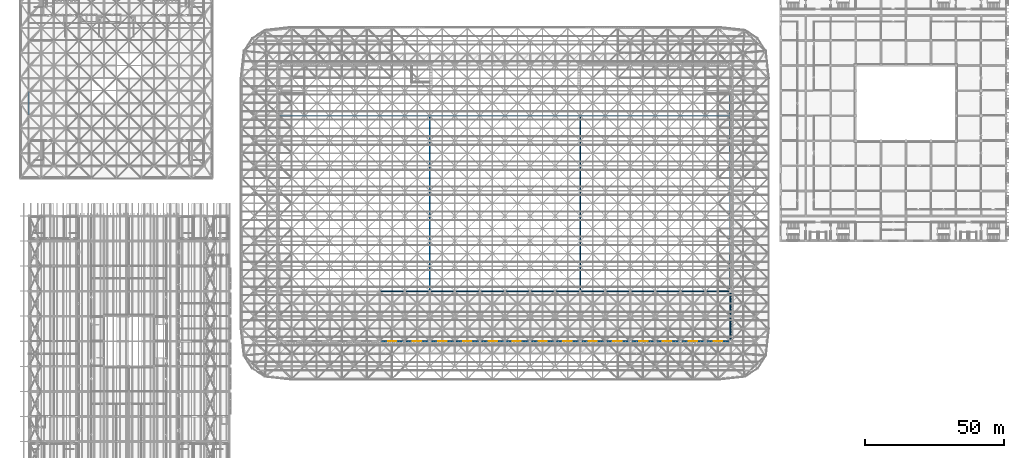
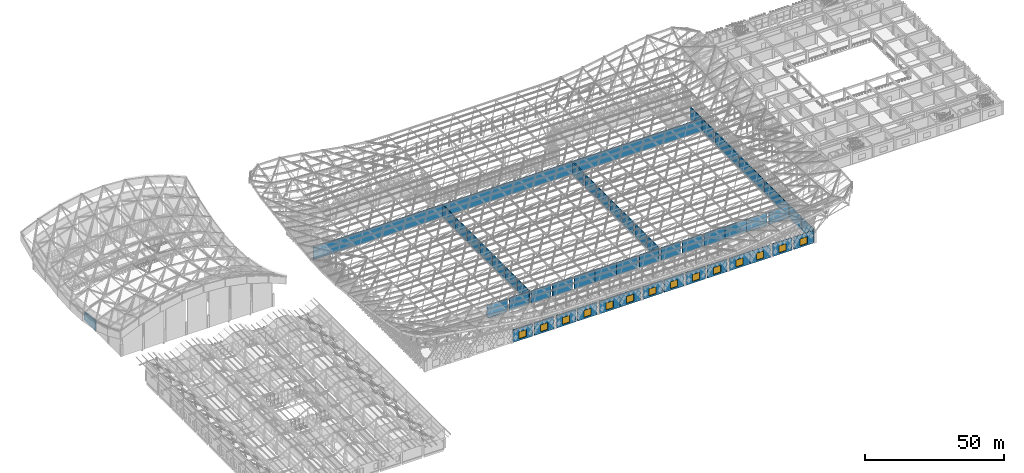
# One storey, part 272 of 437: 50 walls, 14 windows, 14 openings.
"""IFC4 building model written with IfcOpenShell, lengths in metres."""

import ifcopenshell
import ifcopenshell.guid

model = None  # the IFC model being written
_history = None  # IfcOwnerHistory: only IFC2X3 demands one
_inside = {}  # id of a spatial element -> (the spatial element, [elements in it])
_under = {}  # id of a project, library or spatial element -> (it, [spatial elements below it])
_declared = {}  # id of a project -> (the project, [libraries it declares])
_typed = {}  # id of a type object -> (the type object, [elements of that type])
_made_of = {}  # id of a material, layer set ... -> (it, [elements and type objects made of it])


def new_model(schema):
    """Start an empty IFC model of exactly this schema.

    Asked for "IFC4X3", IfcOpenShell would pick the latest addendum, in which some entities
    have other attributes; the version numbers below select the first issue.
    IFC2X3 requires an IfcOwnerHistory on every rooted entity: one is made here for all.
    """
    global model, _history
    if schema == "IFC4X3":
        model = ifcopenshell.file(schema_version=(4, 3, 0, 0))
    else:
        model = ifcopenshell.file(schema=schema)
    _inside.clear()
    _under.clear()
    _declared.clear()
    _typed.clear()
    _made_of.clear()
    _history = None
    if model.schema == "IFC2X3":
        org = make("IfcOrganization", Name="unknown")
        user = make(
            "IfcPersonAndOrganization",
            ThePerson=make("IfcPerson", FamilyName="unknown"),
            TheOrganization=org,
        )
        app = make(
            "IfcApplication",
            ApplicationDeveloper=org,
            Version="unknown",
            ApplicationFullName="unknown",
            ApplicationIdentifier="unknown",
        )
        _history = make(
            "IfcOwnerHistory",
            OwningUser=user,
            OwningApplication=app,
            ChangeAction="ADDED",
            CreationDate=0,
        )
    return model


def make(cls, **values):
    """One entity of the class cls with the attributes given. An attribute that is None is left unset."""
    return model.create_entity(
        cls, **{name: value for name, value in values.items() if value is not None}
    )


def rooted(cls, **values):
    """An entity with a GlobalId (a new one), such as an element, a storey or a relation."""
    return make(cls, GlobalId=ifcopenshell.guid.new(), OwnerHistory=_history, **values)


def si_unit(unit_type, name, prefix=None):
    """IfcSIUnit, for example si_unit("LENGTHUNIT", "METRE", prefix="MILLI")."""
    return make("IfcSIUnit", UnitType=unit_type, Prefix=prefix, Name=name)


def assignment(units):
    """IfcUnitAssignment: the units of a project."""
    return None if units is None else make("IfcUnitAssignment", Units=units)


def point(xyz):
    """IfcCartesianPoint."""
    return None if xyz is None else make("IfcCartesianPoint", Coordinates=xyz)


def direction(xyz):
    """IfcDirection."""
    return None if xyz is None else make("IfcDirection", DirectionRatios=xyz)


def frame(location, z_axis=None, x_axis=None):
    """IfcAxis2Placement3D, a coordinate frame: its origin and axes. An axis left out is left unset."""
    return make(
        "IfcAxis2Placement3D",
        Location=point(location),
        Axis=direction(z_axis),
        RefDirection=direction(x_axis),
    )


def frame_2d(location, x_axis=None):
    """IfcAxis2Placement2D, a coordinate frame in the plane: its origin and x axis."""
    return make(
        "IfcAxis2Placement2D", Location=point(location), RefDirection=direction(x_axis)
    )


def origin():
    """The frame at (0, 0, 0) with its axes left unset."""
    return frame((0.0, 0.0, 0.0))


def place(relative_to, where):
    """IfcLocalPlacement: puts the frame where relative to a parent placement (None: the world)."""
    return make(
        "IfcLocalPlacement", PlacementRelTo=relative_to, RelativePlacement=where
    )


def context(
    kind, dimensions, precision=None, world=None, true_north=None, identifier=None
):
    """IfcGeometricRepresentationContext, for example the 3D "Model" context."""
    return make(
        "IfcGeometricRepresentationContext",
        ContextIdentifier=identifier,
        ContextType=kind,
        CoordinateSpaceDimension=dimensions,
        Precision=precision,
        WorldCoordinateSystem=world,
        TrueNorth=true_north,
    )


def subcontext(parent, identifier, kind, view, scale=None):
    """IfcGeometricRepresentationSubContext, for example "Body" below "Model"."""
    return make(
        "IfcGeometricRepresentationSubContext",
        ContextIdentifier=identifier,
        ContextType=kind,
        ParentContext=parent,
        TargetScale=scale,
        TargetView=view,
    )


def project(units=None, contexts=None):
    """IfcProject with its units and contexts."""
    return rooted(
        "IfcProject",
        Name="project",
        RepresentationContexts=contexts,
        UnitsInContext=assignment(units),
    )


def spatial(cls, under=None, at=None, **own):
    """A site, building, storey or space (cls), placed at a placement, below another one or the project."""
    s = rooted(cls, ObjectPlacement=at, **own)
    if under is not None:
        _under.setdefault(under.id(), (under, []))[1].append(s)
    return s


def polyline(points):
    """IfcPolyline through the points."""
    return make("IfcPolyline", Points=[point(p) for p in points])


def profile(cls, at=None, kind="AREA", **sizes):
    """A parametric profile (cls). Its sizes go by their IFC names, for example OverallWidth=200.0."""
    return make(cls, ProfileType=kind, Position=at, **sizes)


def rectangle(**sizes):
    """IfcRectangleProfileDef."""
    return profile("IfcRectangleProfileDef", **sizes)


def outline(outer, holes=None, kind="AREA"):
    """IfcArbitraryClosedProfileDef: a profile drawn as a closed curve; with holes, ...WithVoids."""
    if holes is None:
        return make("IfcArbitraryClosedProfileDef", ProfileType=kind, OuterCurve=outer)
    return make(
        "IfcArbitraryProfileDefWithVoids",
        ProfileType=kind,
        OuterCurve=outer,
        InnerCurves=holes,
    )


def extrude(swept, where, along, depth):
    """IfcExtrudedAreaSolid: the profile swept, set in the frame where, extruded along a direction by depth."""
    return make(
        "IfcExtrudedAreaSolid",
        SweptArea=swept,
        Position=where,
        ExtrudedDirection=direction(along),
        Depth=depth,
    )


def shape(context_of_items, identifier, shape_type, items):
    """IfcShapeRepresentation: the items that make up one representation, for example the "Body"."""
    return make(
        "IfcShapeRepresentation",
        ContextOfItems=context_of_items,
        RepresentationIdentifier=identifier,
        RepresentationType=shape_type,
        Items=items,
    )


def material(Name=None, Category=None):
    """IfcMaterial."""
    return make("IfcMaterial", Name=Name, Category=Category)


def layer(
    of_material, thickness, ventilated=None, Name=None, Category=None, Priority=None
):
    """IfcMaterialLayer: one layer of a wall or slab, of a material (None: an air gap)."""
    return make(
        "IfcMaterialLayer",
        Material=of_material,
        LayerThickness=thickness,
        IsVentilated=ventilated,
        Name=Name,
        Category=Category,
        Priority=Priority,
    )


def layer_set(layers, Name=None):
    """IfcMaterialLayerSet."""
    return make("IfcMaterialLayerSet", MaterialLayers=layers, LayerSetName=Name)


def made_of(thing, what):
    """Note that an element or type object is made of a material, layer set ...; save() writes the relation."""
    if what is not None:
        _made_of.setdefault(what.id(), (what, []))[1].append(thing)
    return thing


def type_object(cls, material=None, **own):
    """A type object (cls), such as IfcWallType, which elements share."""
    return made_of(rooted(cls, **own), material)


def element(
    cls,
    number,
    at=None,
    inside=None,
    cuts=None,
    type_object=None,
    material=None,
    context=None,
    identifier="Body",
    shape_type=None,
    held_by="IfcProductDefinitionShape",
    body=None,
    shapes=None,
    **own,
):
    """One element of the class cls, such as IfcWall. Its Tag is "e" and its number.

    at: its placement. inside: the storey or other place that contains it. cuts: it is an
    opening in that element (IfcRelVoidsElement). A single representation is given by context,
    identifier, shape_type and body (its items); several are given by shapes. held_by: the class
    of the entity that holds the representations. save() writes the other relations.
    """
    e = rooted(cls, Tag="e%d" % number, ObjectPlacement=at, **own)
    if body is not None:
        shapes = [shape(context, identifier, shape_type, body)]
    if shapes is not None:
        e.Representation = make(held_by, Representations=shapes)
    if inside is not None:
        _inside.setdefault(inside.id(), (inside, []))[1].append(e)
    if cuts is not None:
        rooted(
            "IfcRelVoidsElement", RelatingBuildingElement=cuts, RelatedOpeningElement=e
        )
    if type_object is not None:
        _typed.setdefault(type_object.id(), (type_object, []))[1].append(e)
    return made_of(e, material)


def fill(opening, filler):
    """IfcRelFillsElement: the door or window that sits in an opening."""
    return rooted(
        "IfcRelFillsElement",
        RelatingOpeningElement=opening,
        RelatedBuildingElement=filler,
    )


def aggregate(whole, parts):
    """IfcRelAggregates: a whole, such as a stair, and the parts it consists of."""
    return rooted("IfcRelAggregates", RelatingObject=whole, RelatedObjects=parts)


def save(model, path):
    """Write the relations noted so far, then the file.

    IfcRelAggregates (storeys below a building ...), IfcRelContainedInSpatialStructure (elements
    in a storey), IfcRelDefinesByType, IfcRelAssociatesMaterial and IfcRelDeclares: one each for
    every whole, place, type object, material and project.
    """
    for whole, parts in _under.values():
        aggregate(whole, parts)
    for where, things in _inside.values():
        rooted(
            "IfcRelContainedInSpatialStructure",
            RelatedElements=things,
            RelatingStructure=where,
        )
    for kind, things in _typed.values():
        rooted("IfcRelDefinesByType", RelatedObjects=things, RelatingType=kind)
    for what, things in _made_of.values():
        rooted("IfcRelAssociatesMaterial", RelatedObjects=things, RelatingMaterial=what)
    for by, libraries in _declared.values():
        rooted("IfcRelDeclares", RelatingContext=by, RelatedDefinitions=libraries)
    model.write(path)


model = new_model("IFC4")

# Units and contexts
model_context = context("Model", 3, precision=1e-05, world=origin(), true_north=direction((0.0, 1.0)))
body_context = subcontext(model_context, "Body", "Model", "MODEL_VIEW")
ifc_project = project(units=[si_unit("LENGTHUNIT", "METRE"), si_unit("AREAUNIT", "SQUARE_METRE"), si_unit("VOLUMEUNIT", "CUBIC_METRE"), si_unit("PLANEANGLEUNIT", "RADIAN"), si_unit("MASSUNIT", "GRAM", prefix="KILO")], contexts=[model_context])

# Site, building, storey
site_placement = place(None, origin())
site = spatial("IfcSite", under=ifc_project, at=site_placement, CompositionType="ELEMENT")
building_placement = place(site_placement, origin())
building = spatial("IfcBuilding", under=site, at=building_placement, Name="Opaline Strait Convention Centre", CompositionType="ELEMENT")
storey_placement = place(building_placement, frame((0.0, 0.0, 11.5)))
storey = spatial("IfcBuildingStorey", under=building, at=storey_placement, Name="L02", CompositionType="ELEMENT", Elevation=11.5)

# Wall, opening, window
ifc_material_1 = material(Name="Concrete C40", Category="concrete")
ifc_layer_1 = layer(ifc_material_1, 0.25)
ifc_material_2 = material(Name="Mineral wool insulation")
ifc_layer_2 = layer(ifc_material_2, 0.10009765625)
ifc_material_3 = material(Name="Gypsum board lining")
ifc_layer_3 = layer(ifc_material_3, 0.050048828125)
ifc_layer_set_1 = layer_set([ifc_layer_1, ifc_layer_2, ifc_layer_3], Name="Concrete C40, Mineral wool insulation, Gypsum board lining")
wall_type_1 = type_object("IfcWallType", Name="External wall RC 400 insulated", PredefinedType="SOLIDWALL", material=ifc_layer_set_1)
wall_1_placement = place(storey_placement, frame((135.5, 54.0, 0.0), z_axis=(0.0, 0.0, 1.0), x_axis=(1.0, 0.0, 0.0)))
wall_1 = element("IfcWall", 1, at=wall_1_placement, inside=storey, type_object=wall_type_1, Name="External wall S5", PredefinedType="SOLIDWALL", context=body_context, shape_type="SweptSolid", body=[
    extrude(rectangle(XDim=8.10009765625, YDim=0.39990234375, at=frame_2d((4.050048828125, 0.0))), origin(), (0.0, 0.0, 1.0), 5.5),
])
opening_1_placement = place(wall_1_placement, frame((2.550048828125, 0.0, 0.75)))
opening_1 = element("IfcOpeningElement", 2, at=opening_1_placement, cuts=wall_1, Name="Opening XWN3", PredefinedType="OPENING", context=body_context, shape_type="SweptSolid", body=[
    extrude(rectangle(XDim=3.0, YDim=3.0, at=frame_2d((1.5, 1.5))), frame((0.0, 0.2099609375, 0.0), z_axis=(0.0, -1.0, 0.0), x_axis=(1.0, 0.0, 0.0)), (0.0, 0.0, 1.0), 0.419921875),
])
ifc_material_4 = material(Name="Aluminium louvre", Category="aluminium")
window_type = type_object("IfcWindowType", Name="Plant louvre 3000 x 3000", PartitioningType="TRIPLE_PANEL_VERTICAL", PredefinedType="WINDOW", material=ifc_material_4)
window_1_placement = place(opening_1_placement, origin())
window_1 = element("IfcWindow", 3, at=window_1_placement, inside=storey, type_object=window_type, Name="Plant louvre 5", OverallHeight=3.0, OverallWidth=3.0, PartitioningType="TRIPLE_PANEL_VERTICAL", PredefinedType="WINDOW", context=body_context, shape_type="SweptSolid", body=[
    extrude(rectangle(XDim=3.0, YDim=3.0, at=frame_2d((1.5, 1.5))), frame((0.0, 0.030029296875, 0.0), z_axis=(0.0, -1.0, 0.0), x_axis=(1.0, 0.0, 0.0)), (0.0, 0.0, 1.0), 0.06005859375),
])
fill(opening_1, window_1)

wall_2_placement = place(storey_placement, frame((144.39990234375, 54.0, 0.0), z_axis=(0.0, 0.0, 1.0), x_axis=(1.0, 0.0, 0.0)))
wall_2 = element("IfcWall", 4, at=wall_2_placement, inside=storey, type_object=wall_type_1, Name="External wall S6", PredefinedType="SOLIDWALL", context=body_context, shape_type="SweptSolid", body=[
    extrude(rectangle(XDim=8.10009765625, YDim=0.39990234375, at=frame_2d((4.050048828125, 0.0))), origin(), (0.0, 0.0, 1.0), 5.5),
])
opening_2_placement = place(wall_2_placement, frame((2.550048828125, 0.0, 0.75)))
opening_2 = element("IfcOpeningElement", 5, at=opening_2_placement, cuts=wall_2, Name="Opening XWN3", PredefinedType="OPENING", context=body_context, shape_type="SweptSolid", body=[
    extrude(rectangle(XDim=3.0, YDim=3.0, at=frame_2d((1.5, 1.5))), frame((0.0, 0.2099609375, 0.0), z_axis=(0.0, -1.0, 0.0), x_axis=(1.0, 0.0, 0.0)), (0.0, 0.0, 1.0), 0.419921875),
])
window_2_placement = place(opening_2_placement, origin())
window_2 = element("IfcWindow", 6, at=window_2_placement, inside=storey, type_object=window_type, Name="Plant louvre 6", OverallHeight=3.0, OverallWidth=3.0, PartitioningType="TRIPLE_PANEL_VERTICAL", PredefinedType="WINDOW", context=body_context, shape_type="SweptSolid", body=[
    extrude(rectangle(XDim=3.0, YDim=3.0, at=frame_2d((1.5, 1.5))), frame((0.0, 0.030029296875, 0.0), z_axis=(0.0, -1.0, 0.0), x_axis=(1.0, 0.0, 0.0)), (0.0, 0.0, 1.0), 0.06005859375),
])
fill(opening_2, window_2)

wall_3_placement = place(storey_placement, frame((153.5, 54.0, 0.0), z_axis=(0.0, 0.0, 1.0), x_axis=(1.0, 0.0, 0.0)))
wall_3 = element("IfcWall", 7, at=wall_3_placement, inside=storey, type_object=wall_type_1, Name="External wall S7", PredefinedType="SOLIDWALL", context=body_context, shape_type="SweptSolid", body=[
    extrude(rectangle(XDim=8.10009765625, YDim=0.39990234375, at=frame_2d((4.050048828125, 0.0))), origin(), (0.0, 0.0, 1.0), 5.5),
])
opening_3_placement = place(wall_3_placement, frame((2.550048828125, 0.0, 0.75)))
opening_3 = element("IfcOpeningElement", 8, at=opening_3_placement, cuts=wall_3, Name="Opening XWN3", PredefinedType="OPENING", context=body_context, shape_type="SweptSolid", body=[
    extrude(rectangle(XDim=3.0, YDim=3.0, at=frame_2d((1.5, 1.5))), frame((0.0, 0.2099609375, 0.0), z_axis=(0.0, -1.0, 0.0), x_axis=(1.0, 0.0, 0.0)), (0.0, 0.0, 1.0), 0.419921875),
])
window_3_placement = place(opening_3_placement, origin())
window_3 = element("IfcWindow", 9, at=window_3_placement, inside=storey, type_object=window_type, Name="Plant louvre 7", OverallHeight=3.0, OverallWidth=3.0, PartitioningType="TRIPLE_PANEL_VERTICAL", PredefinedType="WINDOW", context=body_context, shape_type="SweptSolid", body=[
    extrude(rectangle(XDim=3.0, YDim=3.0, at=frame_2d((1.5, 1.5))), frame((0.0, 0.030029296875, 0.0), z_axis=(0.0, -1.0, 0.0), x_axis=(1.0, 0.0, 0.0)), (0.0, 0.0, 1.0), 0.06005859375),
])
fill(opening_3, window_3)

wall_4_placement = place(storey_placement, frame((162.39990234375, 54.0, 0.0), z_axis=(0.0, 0.0, 1.0), x_axis=(1.0, 0.0, 0.0)))
wall_4 = element("IfcWall", 10, at=wall_4_placement, inside=storey, type_object=wall_type_1, Name="External wall S8", PredefinedType="SOLIDWALL", context=body_context, shape_type="SweptSolid", body=[
    extrude(rectangle(XDim=8.10009765625, YDim=0.39990234375, at=frame_2d((4.050048828125, 0.0))), origin(), (0.0, 0.0, 1.0), 5.5),
])
opening_4_placement = place(wall_4_placement, frame((2.550048828125, 0.0, 0.75)))
opening_4 = element("IfcOpeningElement", 11, at=opening_4_placement, cuts=wall_4, Name="Opening XWN3", PredefinedType="OPENING", context=body_context, shape_type="SweptSolid", body=[
    extrude(rectangle(XDim=3.0, YDim=3.0, at=frame_2d((1.5, 1.5))), frame((0.0, 0.2099609375, 0.0), z_axis=(0.0, -1.0, 0.0), x_axis=(1.0, 0.0, 0.0)), (0.0, 0.0, 1.0), 0.419921875),
])
window_4_placement = place(opening_4_placement, origin())
window_4 = element("IfcWindow", 12, at=window_4_placement, inside=storey, type_object=window_type, Name="Plant louvre 8", OverallHeight=3.0, OverallWidth=3.0, PartitioningType="TRIPLE_PANEL_VERTICAL", PredefinedType="WINDOW", context=body_context, shape_type="SweptSolid", body=[
    extrude(rectangle(XDim=3.0, YDim=3.0, at=frame_2d((1.5, 1.5))), frame((0.0, 0.030029296875, 0.0), z_axis=(0.0, -1.0, 0.0), x_axis=(1.0, 0.0, 0.0)), (0.0, 0.0, 1.0), 0.06005859375),
])
fill(opening_4, window_4)

wall_5_placement = place(storey_placement, frame((171.5, 54.0, 0.0), z_axis=(0.0, 0.0, 1.0), x_axis=(1.0, 0.0, 0.0)))
wall_5 = element("IfcWall", 13, at=wall_5_placement, inside=storey, type_object=wall_type_1, Name="External wall S9", PredefinedType="SOLIDWALL", context=body_context, shape_type="SweptSolid", body=[
    extrude(rectangle(XDim=8.5, YDim=0.39990234375, at=frame_2d((4.25, 0.0))), origin(), (0.0, 0.0, 1.0), 5.5),
])
opening_5_placement = place(wall_5_placement, frame((2.75, 0.0, 0.75)))
opening_5 = element("IfcOpeningElement", 14, at=opening_5_placement, cuts=wall_5, Name="Opening XWN3", PredefinedType="OPENING", context=body_context, shape_type="SweptSolid", body=[
    extrude(rectangle(XDim=3.0, YDim=3.0, at=frame_2d((1.5, 1.5))), frame((0.0, 0.2099609375, 0.0), z_axis=(0.0, -1.0, 0.0), x_axis=(1.0, 0.0, 0.0)), (0.0, 0.0, 1.0), 0.419921875),
])
window_5_placement = place(opening_5_placement, origin())
window_5 = element("IfcWindow", 15, at=window_5_placement, inside=storey, type_object=window_type, Name="Plant louvre 9", OverallHeight=3.0, OverallWidth=3.0, PartitioningType="TRIPLE_PANEL_VERTICAL", PredefinedType="WINDOW", context=body_context, shape_type="SweptSolid", body=[
    extrude(rectangle(XDim=3.0, YDim=3.0, at=frame_2d((1.5, 1.5))), frame((0.0, 0.030029296875, 0.0), z_axis=(0.0, -1.0, 0.0), x_axis=(1.0, 0.0, 0.0)), (0.0, 0.0, 1.0), 0.06005859375),
])
fill(opening_5, window_5)

wall_6_placement = place(storey_placement, frame((180.0, 54.0, 0.0), z_axis=(0.0, 0.0, 1.0), x_axis=(1.0, 0.0, 0.0)))
wall_6 = element("IfcWall", 16, at=wall_6_placement, inside=storey, type_object=wall_type_1, Name="External wall S10", PredefinedType="SOLIDWALL", context=body_context, shape_type="SweptSolid", body=[
    extrude(rectangle(XDim=8.5, YDim=0.39990234375, at=frame_2d((4.25, 0.0))), origin(), (0.0, 0.0, 1.0), 5.5),
])
opening_6_placement = place(wall_6_placement, frame((2.75, 0.0, 0.75)))
opening_6 = element("IfcOpeningElement", 17, at=opening_6_placement, cuts=wall_6, Name="Opening XWN3", PredefinedType="OPENING", context=body_context, shape_type="SweptSolid", body=[
    extrude(rectangle(XDim=3.0, YDim=3.0, at=frame_2d((1.5, 1.5))), frame((0.0, 0.2099609375, 0.0), z_axis=(0.0, -1.0, 0.0), x_axis=(1.0, 0.0, 0.0)), (0.0, 0.0, 1.0), 0.419921875),
])
window_6_placement = place(opening_6_placement, origin())
window_6 = element("IfcWindow", 18, at=window_6_placement, inside=storey, type_object=window_type, Name="Plant louvre 10", OverallHeight=3.0, OverallWidth=3.0, PartitioningType="TRIPLE_PANEL_VERTICAL", PredefinedType="WINDOW", context=body_context, shape_type="SweptSolid", body=[
    extrude(rectangle(XDim=3.0, YDim=3.0, at=frame_2d((1.5, 1.5))), frame((0.0, 0.030029296875, 0.0), z_axis=(0.0, -1.0, 0.0), x_axis=(1.0, 0.0, 0.0)), (0.0, 0.0, 1.0), 0.06005859375),
])
fill(opening_6, window_6)

wall_7_placement = place(storey_placement, frame((189.5, 54.0, 0.0), z_axis=(0.0, 0.0, 1.0), x_axis=(1.0, 0.0, 0.0)))
wall_7 = element("IfcWall", 19, at=wall_7_placement, inside=storey, type_object=wall_type_1, Name="External wall S11", PredefinedType="SOLIDWALL", context=body_context, shape_type="SweptSolid", body=[
    extrude(rectangle(XDim=8.10009765625, YDim=0.39990234375, at=frame_2d((4.050048828125, 0.0))), origin(), (0.0, 0.0, 1.0), 5.5),
])
opening_7_placement = place(wall_7_placement, frame((2.550048828125, 0.0, 0.75)))
opening_7 = element("IfcOpeningElement", 20, at=opening_7_placement, cuts=wall_7, Name="Opening XWN3", PredefinedType="OPENING", context=body_context, shape_type="SweptSolid", body=[
    extrude(rectangle(XDim=3.0, YDim=3.0, at=frame_2d((1.5, 1.5))), frame((0.0, 0.2099609375, 0.0), z_axis=(0.0, -1.0, 0.0), x_axis=(1.0, 0.0, 0.0)), (0.0, 0.0, 1.0), 0.419921875),
])
window_7_placement = place(opening_7_placement, origin())
window_7 = element("IfcWindow", 21, at=window_7_placement, inside=storey, type_object=window_type, Name="Plant louvre 11", OverallHeight=3.0, OverallWidth=3.0, PartitioningType="TRIPLE_PANEL_VERTICAL", PredefinedType="WINDOW", context=body_context, shape_type="SweptSolid", body=[
    extrude(rectangle(XDim=3.0, YDim=3.0, at=frame_2d((1.5, 1.5))), frame((0.0, 0.030029296875, 0.0), z_axis=(0.0, -1.0, 0.0), x_axis=(1.0, 0.0, 0.0)), (0.0, 0.0, 1.0), 0.06005859375),
])
fill(opening_7, window_7)

wall_8_placement = place(storey_placement, frame((198.39990234375, 54.0, 0.0), z_axis=(0.0, 0.0, 1.0), x_axis=(1.0, 0.0, 0.0)))
wall_8 = element("IfcWall", 22, at=wall_8_placement, inside=storey, type_object=wall_type_1, Name="External wall S12", PredefinedType="SOLIDWALL", context=body_context, shape_type="SweptSolid", body=[
    extrude(rectangle(XDim=8.10009765625, YDim=0.39990234375, at=frame_2d((4.050048828125, 0.0))), origin(), (0.0, 0.0, 1.0), 5.5),
])
opening_8_placement = place(wall_8_placement, frame((2.550048828125, 0.0, 0.75)))
opening_8 = element("IfcOpeningElement", 23, at=opening_8_placement, cuts=wall_8, Name="Opening XWN3", PredefinedType="OPENING", context=body_context, shape_type="SweptSolid", body=[
    extrude(rectangle(XDim=3.0, YDim=3.0, at=frame_2d((1.5, 1.5))), frame((0.0, 0.2099609375, 0.0), z_axis=(0.0, -1.0, 0.0), x_axis=(1.0, 0.0, 0.0)), (0.0, 0.0, 1.0), 0.419921875),
])
window_8_placement = place(opening_8_placement, origin())
window_8 = element("IfcWindow", 24, at=window_8_placement, inside=storey, type_object=window_type, Name="Plant louvre 12", OverallHeight=3.0, OverallWidth=3.0, PartitioningType="TRIPLE_PANEL_VERTICAL", PredefinedType="WINDOW", context=body_context, shape_type="SweptSolid", body=[
    extrude(rectangle(XDim=3.0, YDim=3.0, at=frame_2d((1.5, 1.5))), frame((0.0, 0.030029296875, 0.0), z_axis=(0.0, -1.0, 0.0), x_axis=(1.0, 0.0, 0.0)), (0.0, 0.0, 1.0), 0.06005859375),
])
fill(opening_8, window_8)

wall_9_placement = place(storey_placement, frame((207.5, 54.0, 0.0), z_axis=(0.0, 0.0, 1.0), x_axis=(1.0, 0.0, 0.0)))
wall_9 = element("IfcWall", 25, at=wall_9_placement, inside=storey, type_object=wall_type_1, Name="External wall S13", PredefinedType="SOLIDWALL", context=body_context, shape_type="SweptSolid", body=[
    extrude(rectangle(XDim=8.10009765625, YDim=0.39990234375, at=frame_2d((4.050048828125, 0.0))), origin(), (0.0, 0.0, 1.0), 5.5),
])
opening_9_placement = place(wall_9_placement, frame((2.550048828125, 0.0, 0.75)))
opening_9 = element("IfcOpeningElement", 26, at=opening_9_placement, cuts=wall_9, Name="Opening XWN3", PredefinedType="OPENING", context=body_context, shape_type="SweptSolid", body=[
    extrude(rectangle(XDim=3.0, YDim=3.0, at=frame_2d((1.5, 1.5))), frame((0.0, 0.2099609375, 0.0), z_axis=(0.0, -1.0, 0.0), x_axis=(1.0, 0.0, 0.0)), (0.0, 0.0, 1.0), 0.419921875),
])
window_9_placement = place(opening_9_placement, origin())
window_9 = element("IfcWindow", 27, at=window_9_placement, inside=storey, type_object=window_type, Name="Plant louvre 13", OverallHeight=3.0, OverallWidth=3.0, PartitioningType="TRIPLE_PANEL_VERTICAL", PredefinedType="WINDOW", context=body_context, shape_type="SweptSolid", body=[
    extrude(rectangle(XDim=3.0, YDim=3.0, at=frame_2d((1.5, 1.5))), frame((0.0, 0.030029296875, 0.0), z_axis=(0.0, -1.0, 0.0), x_axis=(1.0, 0.0, 0.0)), (0.0, 0.0, 1.0), 0.06005859375),
])
fill(opening_9, window_9)

wall_10_placement = place(storey_placement, frame((216.39990234375, 54.0, 0.0), z_axis=(0.0, 0.0, 1.0), x_axis=(1.0, 0.0, 0.0)))
wall_10 = element("IfcWall", 28, at=wall_10_placement, inside=storey, type_object=wall_type_1, Name="External wall S14", PredefinedType="SOLIDWALL", context=body_context, shape_type="SweptSolid", body=[
    extrude(rectangle(XDim=8.10009765625, YDim=0.39990234375, at=frame_2d((4.050048828125, 0.0))), origin(), (0.0, 0.0, 1.0), 5.5),
])
opening_10_placement = place(wall_10_placement, frame((2.550048828125, 0.0, 0.75)))
opening_10 = element("IfcOpeningElement", 29, at=opening_10_placement, cuts=wall_10, Name="Opening XWN3", PredefinedType="OPENING", context=body_context, shape_type="SweptSolid", body=[
    extrude(rectangle(XDim=3.0, YDim=3.0, at=frame_2d((1.5, 1.5))), frame((0.0, 0.2099609375, 0.0), z_axis=(0.0, -1.0, 0.0), x_axis=(1.0, 0.0, 0.0)), (0.0, 0.0, 1.0), 0.419921875),
])
window_10_placement = place(opening_10_placement, origin())
window_10 = element("IfcWindow", 30, at=window_10_placement, inside=storey, type_object=window_type, Name="Plant louvre 14", OverallHeight=3.0, OverallWidth=3.0, PartitioningType="TRIPLE_PANEL_VERTICAL", PredefinedType="WINDOW", context=body_context, shape_type="SweptSolid", body=[
    extrude(rectangle(XDim=3.0, YDim=3.0, at=frame_2d((1.5, 1.5))), frame((0.0, 0.030029296875, 0.0), z_axis=(0.0, -1.0, 0.0), x_axis=(1.0, 0.0, 0.0)), (0.0, 0.0, 1.0), 0.06005859375),
])
fill(opening_10, window_10)

wall_11_placement = place(storey_placement, frame((225.5, 54.0, 0.0), z_axis=(0.0, 0.0, 1.0), x_axis=(1.0, 0.0, 0.0)))
wall_11 = element("IfcWall", 31, at=wall_11_placement, inside=storey, type_object=wall_type_1, Name="External wall S15", PredefinedType="SOLIDWALL", context=body_context, shape_type="SweptSolid", body=[
    extrude(rectangle(XDim=8.5, YDim=0.39990234375, at=frame_2d((4.25, 0.0))), origin(), (0.0, 0.0, 1.0), 5.5),
])
opening_11_placement = place(wall_11_placement, frame((2.75, 0.0, 0.75)))
opening_11 = element("IfcOpeningElement", 32, at=opening_11_placement, cuts=wall_11, Name="Opening XWN3", PredefinedType="OPENING", context=body_context, shape_type="SweptSolid", body=[
    extrude(rectangle(XDim=3.0, YDim=3.0, at=frame_2d((1.5, 1.5))), frame((0.0, 0.2099609375, 0.0), z_axis=(0.0, -1.0, 0.0), x_axis=(1.0, 0.0, 0.0)), (0.0, 0.0, 1.0), 0.419921875),
])
window_11_placement = place(opening_11_placement, origin())
window_11 = element("IfcWindow", 33, at=window_11_placement, inside=storey, type_object=window_type, Name="Plant louvre 15", OverallHeight=3.0, OverallWidth=3.0, PartitioningType="TRIPLE_PANEL_VERTICAL", PredefinedType="WINDOW", context=body_context, shape_type="SweptSolid", body=[
    extrude(rectangle(XDim=3.0, YDim=3.0, at=frame_2d((1.5, 1.5))), frame((0.0, 0.030029296875, 0.0), z_axis=(0.0, -1.0, 0.0), x_axis=(1.0, 0.0, 0.0)), (0.0, 0.0, 1.0), 0.06005859375),
])
fill(opening_11, window_11)

wall_12_placement = place(storey_placement, frame((234.0, 54.0, 0.0), z_axis=(0.0, 0.0, 1.0), x_axis=(1.0, 0.0, 0.0)))
wall_12 = element("IfcWall", 34, at=wall_12_placement, inside=storey, type_object=wall_type_1, Name="External wall S16", PredefinedType="SOLIDWALL", context=body_context, shape_type="SweptSolid", body=[
    extrude(rectangle(XDim=8.5, YDim=0.39990234375, at=frame_2d((4.25, 0.0))), origin(), (0.0, 0.0, 1.0), 5.5),
])
opening_12_placement = place(wall_12_placement, frame((2.75, 0.0, 0.75)))
opening_12 = element("IfcOpeningElement", 35, at=opening_12_placement, cuts=wall_12, Name="Opening XWN3", PredefinedType="OPENING", context=body_context, shape_type="SweptSolid", body=[
    extrude(rectangle(XDim=3.0, YDim=3.0, at=frame_2d((1.5, 1.5))), frame((0.0, 0.2099609375, 0.0), z_axis=(0.0, -1.0, 0.0), x_axis=(1.0, 0.0, 0.0)), (0.0, 0.0, 1.0), 0.419921875),
])
window_12_placement = place(opening_12_placement, origin())
window_12 = element("IfcWindow", 36, at=window_12_placement, inside=storey, type_object=window_type, Name="Plant louvre 16", OverallHeight=3.0, OverallWidth=3.0, PartitioningType="TRIPLE_PANEL_VERTICAL", PredefinedType="WINDOW", context=body_context, shape_type="SweptSolid", body=[
    extrude(rectangle(XDim=3.0, YDim=3.0, at=frame_2d((1.5, 1.5))), frame((0.0, 0.030029296875, 0.0), z_axis=(0.0, -1.0, 0.0), x_axis=(1.0, 0.0, 0.0)), (0.0, 0.0, 1.0), 0.06005859375),
])
fill(opening_12, window_12)

wall_13_placement = place(storey_placement, frame((243.5, 54.0, 0.0), z_axis=(0.0, 0.0, 1.0), x_axis=(1.0, 0.0, 0.0)))
wall_13 = element("IfcWall", 37, at=wall_13_placement, inside=storey, type_object=wall_type_1, Name="External wall S17", PredefinedType="SOLIDWALL", context=body_context, shape_type="SweptSolid", body=[
    extrude(rectangle(XDim=8.10009765625, YDim=0.39990234375, at=frame_2d((4.050048828125, 0.0))), origin(), (0.0, 0.0, 1.0), 5.5),
])
opening_13_placement = place(wall_13_placement, frame((2.550048828125, 0.0, 0.75)))
opening_13 = element("IfcOpeningElement", 38, at=opening_13_placement, cuts=wall_13, Name="Opening XWN3", PredefinedType="OPENING", context=body_context, shape_type="SweptSolid", body=[
    extrude(rectangle(XDim=3.0, YDim=3.0, at=frame_2d((1.5, 1.5))), frame((0.0, 0.2099609375, 0.0), z_axis=(0.0, -1.0, 0.0), x_axis=(1.0, 0.0, 0.0)), (0.0, 0.0, 1.0), 0.419921875),
])
window_13_placement = place(opening_13_placement, origin())
window_13 = element("IfcWindow", 39, at=window_13_placement, inside=storey, type_object=window_type, Name="Plant louvre 17", OverallHeight=3.0, OverallWidth=3.0, PartitioningType="TRIPLE_PANEL_VERTICAL", PredefinedType="WINDOW", context=body_context, shape_type="SweptSolid", body=[
    extrude(rectangle(XDim=3.0, YDim=3.0, at=frame_2d((1.5, 1.5))), frame((0.0, 0.030029296875, 0.0), z_axis=(0.0, -1.0, 0.0), x_axis=(1.0, 0.0, 0.0)), (0.0, 0.0, 1.0), 0.06005859375),
])
fill(opening_13, window_13)

wall_14_placement = place(storey_placement, frame((252.39990234375, 54.0, 0.0), z_axis=(0.0, 0.0, 1.0), x_axis=(1.0, 0.0, 0.0)))
wall_14 = element("IfcWall", 40, at=wall_14_placement, inside=storey, type_object=wall_type_1, Name="External wall S18", PredefinedType="SOLIDWALL", context=body_context, shape_type="SweptSolid", body=[
    extrude(rectangle(XDim=8.10009765625, YDim=0.39990234375, at=frame_2d((4.050048828125, 0.0))), origin(), (0.0, 0.0, 1.0), 5.5),
])
opening_14_placement = place(wall_14_placement, frame((2.550048828125, 0.0, 0.75)))
opening_14 = element("IfcOpeningElement", 41, at=opening_14_placement, cuts=wall_14, Name="Opening XWN3", PredefinedType="OPENING", context=body_context, shape_type="SweptSolid", body=[
    extrude(rectangle(XDim=3.0, YDim=3.0, at=frame_2d((1.5, 1.5))), frame((0.0, 0.2099609375, 0.0), z_axis=(0.0, -1.0, 0.0), x_axis=(1.0, 0.0, 0.0)), (0.0, 0.0, 1.0), 0.419921875),
])
window_14_placement = place(opening_14_placement, origin())
window_14 = element("IfcWindow", 42, at=window_14_placement, inside=storey, type_object=window_type, Name="Plant louvre 18", OverallHeight=3.0, OverallWidth=3.0, PartitioningType="TRIPLE_PANEL_VERTICAL", PredefinedType="WINDOW", context=body_context, shape_type="SweptSolid", body=[
    extrude(rectangle(XDim=3.0, YDim=3.0, at=frame_2d((1.5, 1.5))), frame((0.0, 0.030029296875, 0.0), z_axis=(0.0, -1.0, 0.0), x_axis=(1.0, 0.0, 0.0)), (0.0, 0.0, 1.0), 0.06005859375),
])
fill(opening_14, window_14)

# Walls
wall_15_placement = place(storey_placement, frame((261.0, 54.5, 0.0), z_axis=(0.0, 0.0, 1.0), x_axis=(0.0, 1.0, 0.0)))
element("IfcWall", 43, at=wall_15_placement, inside=storey, type_object=wall_type_1, Name="External wall E1", PredefinedType="SOLIDWALL", context=body_context, shape_type="SweptSolid", body=[
    extrude(rectangle(XDim=8.10009765625, YDim=0.39990234375, at=frame_2d((4.050048828125, 0.0))), origin(), (0.0, 0.0, 1.0), 5.5),
])
for number, where, z_axis, x_axis, name in (
    (44, (261.0, 72.5, 0.0), (0.0, 0.0, 1.0), (0.0, 1.0, 0.0), "External wall E3"),
    (45, (261.0, 90.5, 0.0), (0.0, 0.0, 1.0), (0.0, 1.0, 0.0), "External wall E4"),
    (46, (261.0, 108.5, 0.0), (0.0, 0.0, 1.0), (0.0, 1.0, 0.0), "External wall E5"),
    (47, (261.0, 126.5, 0.0), (0.0, 0.0, 1.0), (0.0, 1.0, 0.0), "External wall E6"),
):
    element("IfcWall", number, at=place(storey_placement, frame(where, z_axis=z_axis, x_axis=x_axis)), inside=storey, type_object=wall_type_1, Name=name, PredefinedType="SOLIDWALL", context=body_context, shape_type="SweptSolid", body=[
        extrude(rectangle(XDim=17.0, YDim=0.39990234375, at=frame_2d((8.5, 0.0))), origin(), (0.0, 0.0, 1.0), 5.5),
    ])
ifc_layer_4 = layer(ifc_material_1, 0.300048828125)
ifc_layer_5 = layer(ifc_material_2, 0.050048828125)
ifc_layer_6 = layer(ifc_material_3, 0.050048828125)
ifc_layer_set_2 = layer_set([ifc_layer_4, ifc_layer_5, ifc_layer_6], Name="Concrete C40, Mineral wool insulation, Gypsum board lining")
wall_type_2 = type_object("IfcWallType", Name="External wall RC 400 stair core", PredefinedType="SOLIDWALL", material=ifc_layer_set_2)
wall_16_placement = place(storey_placement, frame((261.0, 63.39990234375, 0.0), z_axis=(0.0, 0.0, 1.0), x_axis=(0.0, 1.0, 0.0)))
element("IfcWall", 48, at=wall_16_placement, inside=storey, type_object=wall_type_2, Name="External wall E2", PredefinedType="SOLIDWALL", context=body_context, shape_type="SweptSolid", body=[
    extrude(rectangle(XDim=8.10009765625, YDim=0.39990234375, at=frame_2d((4.050048828125, 0.0))), origin(), (0.0, 0.0, 1.0), 5.5),
])
ifc_layer_7 = layer(ifc_material_1, 0.39990234375)
ifc_layer_set_3 = layer_set([ifc_layer_7], Name="Concrete C40")
wall_type_3 = type_object("IfcWallType", Name="Fire wall RC 400 3 h", PredefinedType="SOLIDWALL", material=ifc_layer_set_3)
for number, where, z_axis, x_axis, name in (
    (49, (153.0, 72.39990234375, 0.0), (0.0, 0.0, 1.0), (0.0, 1.0, 0.0), "Fire wall 153 panel 1"),
    (50, (153.0, 81.39990234375, 0.0), (0.0, 0.0, 1.0), (0.0, 1.0, 0.0), "Fire wall 153 panel 2"),
    (51, (153.0, 90.39990234375, 0.0), (0.0, 0.0, 1.0), (0.0, 1.0, 0.0), "Fire wall 153 panel 3"),
    (52, (153.0, 99.39990234375, 0.0), (0.0, 0.0, 1.0), (0.0, 1.0, 0.0), "Fire wall 153 panel 4"),
    (53, (153.0, 108.39990234375, 0.0), (0.0, 0.0, 1.0), (0.0, 1.0, 0.0), "Fire wall 153 panel 5"),
    (54, (153.0, 117.39990234375, 0.0), (0.0, 0.0, 1.0), (0.0, 1.0, 0.0), "Fire wall 153 panel 6"),
    (55, (153.0, 126.39990234375, 0.0), (0.0, 0.0, 1.0), (0.0, 1.0, 0.0), "Fire wall 153 panel 7"),
    (56, (207.0, 72.39990234375, 0.0), (0.0, 0.0, 1.0), (0.0, 1.0, 0.0), "Fire wall 207 panel 1"),
    (57, (207.0, 81.39990234375, 0.0), (0.0, 0.0, 1.0), (0.0, 1.0, 0.0), "Fire wall 207 panel 2"),
    (58, (207.0, 90.39990234375, 0.0), (0.0, 0.0, 1.0), (0.0, 1.0, 0.0), "Fire wall 207 panel 3"),
    (59, (207.0, 99.39990234375, 0.0), (0.0, 0.0, 1.0), (0.0, 1.0, 0.0), "Fire wall 207 panel 4"),
    (60, (207.0, 108.39990234375, 0.0), (0.0, 0.0, 1.0), (0.0, 1.0, 0.0), "Fire wall 207 panel 5"),
    (61, (207.0, 117.39990234375, 0.0), (0.0, 0.0, 1.0), (0.0, 1.0, 0.0), "Fire wall 207 panel 6"),
    (62, (207.0, 126.39990234375, 0.0), (0.0, 0.0, 1.0), (0.0, 1.0, 0.0), "Fire wall 207 panel 7"),
):
    element("IfcWall", number, at=place(storey_placement, frame(where, z_axis=z_axis, x_axis=x_axis)), inside=storey, type_object=wall_type_3, Name=name, PredefinedType="SOLIDWALL", context=body_context, shape_type="SweptSolid", body=[
        extrude(rectangle(XDim=8.2001953125, YDim=0.39990234375, at=frame_2d((4.10009765625, 0.0))), origin(), (0.0, 0.0, 1.0), 5.5),
    ])
ifc_layer_8 = layer(ifc_material_1, 0.300048828125)
ifc_material_5 = material(Name="Cement plaster")
ifc_layer_9 = layer(ifc_material_5, 0.050048828125)
ifc_layer_10 = layer(ifc_material_5, 0.050048828125)
ifc_layer_set_4 = layer_set([ifc_layer_8, ifc_layer_9, ifc_layer_10], Name="Concrete C40, Cement plaster, Cement plaster")
wall_type_4 = type_object("IfcWallType", Name="Hall compartment wall 400", PredefinedType="SOLIDWALL", material=ifc_layer_set_4)
wall_17_placement = place(storey_placement, frame((135.0, 72.0, 0.0), z_axis=(0.0, 0.0, 1.0), x_axis=(1.0, 0.0, 0.0)))
element("IfcWall", 63, at=wall_17_placement, inside=storey, type_object=wall_type_4, Name="Hall south wall", PredefinedType="SOLIDWALL", context=body_context, shape_type="SweptSolid", body=[
    extrude(rectangle(XDim=8.60009765625, YDim=0.39990234375, at=frame_2d((4.300048828125, 0.0))), origin(), (0.0, 0.0, 1.0), 5.5),
])
for number, where, z_axis, x_axis, name in (
    (64, (144.39990234375, 72.0, 0.0), (0.0, 0.0, 1.0), (1.0, 0.0, 0.0), "Hall south wall"),
    (65, (153.39990234375, 72.0, 0.0), (0.0, 0.0, 1.0), (1.0, 0.0, 0.0), "Hall south wall"),
    (66, (162.39990234375, 72.0, 0.0), (0.0, 0.0, 1.0), (1.0, 0.0, 0.0), "Hall south wall"),
):
    element("IfcWall", number, at=place(storey_placement, frame(where, z_axis=z_axis, x_axis=x_axis)), inside=storey, type_object=wall_type_4, Name=name, PredefinedType="SOLIDWALL", context=body_context, shape_type="SweptSolid", body=[
        extrude(rectangle(XDim=8.2001953125, YDim=0.39990234375, at=frame_2d((4.10009765625, 0.0))), origin(), (0.0, 0.0, 1.0), 5.5),
    ])
wall_18_placement = place(storey_placement, frame((171.39990234375, 72.0, 0.0), z_axis=(0.0, 0.0, 1.0), x_axis=(1.0, 0.0, 0.0)))
element("IfcWall", 67, at=wall_18_placement, inside=storey, type_object=wall_type_4, Name="Hall south wall", PredefinedType="SOLIDWALL", context=body_context, shape_type="SweptSolid", body=[
    extrude(rectangle(XDim=8.60009765625, YDim=0.39990234375, at=frame_2d((4.300048828125, 0.0))), origin(), (0.0, 0.0, 1.0), 5.5),
])
wall_19_placement = place(storey_placement, frame((180.0, 72.0, 0.0), z_axis=(0.0, 0.0, 1.0), x_axis=(1.0, 0.0, 0.0)))
element("IfcWall", 68, at=wall_19_placement, inside=storey, type_object=wall_type_4, Name="Hall south wall", PredefinedType="SOLIDWALL", context=body_context, shape_type="SweptSolid", body=[
    extrude(rectangle(XDim=9.0, YDim=0.39990234375, at=frame_2d((4.5, 0.0))), origin(), (0.0, 0.0, 1.0), 5.5),
])
wall_20_placement = place(storey_placement, frame((189.0, 72.0, 0.0), z_axis=(0.0, 0.0, 1.0), x_axis=(1.0, 0.0, 0.0)))
element("IfcWall", 69, at=wall_20_placement, inside=storey, type_object=wall_type_4, Name="Hall south wall", PredefinedType="SOLIDWALL", context=body_context, shape_type="SweptSolid", body=[
    extrude(rectangle(XDim=8.60009765625, YDim=0.39990234375, at=frame_2d((4.300048828125, 0.0))), origin(), (0.0, 0.0, 1.0), 5.5),
])
for number, where, z_axis, x_axis, name in (
    (70, (198.39990234375, 72.0, 0.0), (0.0, 0.0, 1.0), (1.0, 0.0, 0.0), "Hall south wall"),
    (71, (207.39990234375, 72.0, 0.0), (0.0, 0.0, 1.0), (1.0, 0.0, 0.0), "Hall south wall"),
    (72, (216.39990234375, 72.0, 0.0), (0.0, 0.0, 1.0), (1.0, 0.0, 0.0), "Hall south wall"),
):
    element("IfcWall", number, at=place(storey_placement, frame(where, z_axis=z_axis, x_axis=x_axis)), inside=storey, type_object=wall_type_4, Name=name, PredefinedType="SOLIDWALL", context=body_context, shape_type="SweptSolid", body=[
        extrude(rectangle(XDim=8.2001953125, YDim=0.39990234375, at=frame_2d((4.10009765625, 0.0))), origin(), (0.0, 0.0, 1.0), 5.5),
    ])
wall_21_placement = place(storey_placement, frame((225.39990234375, 72.0, 0.0), z_axis=(0.0, 0.0, 1.0), x_axis=(1.0, 0.0, 0.0)))
element("IfcWall", 73, at=wall_21_placement, inside=storey, type_object=wall_type_4, Name="Hall south wall", PredefinedType="SOLIDWALL", context=body_context, shape_type="SweptSolid", body=[
    extrude(rectangle(XDim=8.60009765625, YDim=0.39990234375, at=frame_2d((4.300048828125, 0.0))), origin(), (0.0, 0.0, 1.0), 5.5),
])
wall_22_placement = place(storey_placement, frame((234.0, 72.0, 0.0), z_axis=(0.0, 0.0, 1.0), x_axis=(1.0, 0.0, 0.0)))
element("IfcWall", 74, at=wall_22_placement, inside=storey, type_object=wall_type_4, Name="Hall south wall", PredefinedType="SOLIDWALL", context=body_context, shape_type="SweptSolid", body=[
    extrude(rectangle(XDim=9.0, YDim=0.39990234375, at=frame_2d((4.5, 0.0))), origin(), (0.0, 0.0, 1.0), 5.5),
])
wall_23_placement = place(storey_placement, frame((243.0, 72.0, 0.0), z_axis=(0.0, 0.0, 1.0), x_axis=(1.0, 0.0, 0.0)))
element("IfcWall", 75, at=wall_23_placement, inside=storey, type_object=wall_type_4, Name="Hall south wall", PredefinedType="SOLIDWALL", context=body_context, shape_type="SweptSolid", body=[
    extrude(rectangle(XDim=8.60009765625, YDim=0.39990234375, at=frame_2d((4.300048828125, 0.0))), origin(), (0.0, 0.0, 1.0), 5.5),
])
wall_24_placement = place(storey_placement, frame((252.39990234375, 72.0, 0.0), z_axis=(0.0, 0.0, 1.0), x_axis=(1.0, 0.0, 0.0)))
element("IfcWall", 76, at=wall_24_placement, inside=storey, type_object=wall_type_4, Name="Hall south wall", PredefinedType="SOLIDWALL", context=body_context, shape_type="SweptSolid", body=[
    extrude(rectangle(XDim=8.10009765625, YDim=0.39990234375, at=frame_2d((4.050048828125, 0.0))), origin(), (0.0, 0.0, 1.0), 5.5),
])
wall_25_placement = place(storey_placement, frame((99.199951171875, 135.0, 0.0), z_axis=(0.0, 0.0, 1.0), x_axis=(1.0, 0.0, 0.0)))
element("IfcWall", 77, at=wall_25_placement, inside=storey, type_object=wall_type_4, Name="Hall north wall", PredefinedType="SOLIDWALL", context=body_context, shape_type="SweptSolid", body=[
    extrude(rectangle(XDim=161.60009765625, YDim=0.39990234375, at=frame_2d((80.800048828125, 0.0))), origin(), (0.0, 0.0, 1.0), 5.5),
])
ifc_layer_11 = layer(ifc_material_1, 0.320068359375)
ifc_layer_12 = layer(ifc_material_2, 0.050048828125)
ifc_layer_13 = layer(ifc_material_3, 0.030029296875)
ifc_layer_set_5 = layer_set([ifc_layer_11, ifc_layer_12, ifc_layer_13], Name="Concrete C40, Mineral wool insulation, Gypsum board lining")
wall_type_5 = type_object("IfcWallType", Name="RC external wall 400 C40", PredefinedType="SOLIDWALL", material=ifc_layer_set_5)
wall_26_placement = place(storey_placement, frame((9.0, 135.39990234375, 0.0), z_axis=(0.0, 0.0, 1.0), x_axis=(0.0, 1.0, 0.0)))
element("IfcWall", 78, at=wall_26_placement, inside=storey, type_object=wall_type_5, Name="PW1 west wall L02 2/R-2/S", PredefinedType="SOLIDWALL", context=body_context, shape_type="SweptSolid", body=[
    extrude(outline(polyline([(0.0, 0.0), (8.2001953125, 0.0), (8.199951171875, 3.6328125), (0.0, 4.70068359375), (0.0, 0.0)])), frame((0.0, 0.199951171875, 0.0), z_axis=(0.0, -1.0, 0.0), x_axis=(1.0, 0.0, 0.0)), (0.0, 0.0, 1.0), 0.39990234375),
])

save(model, "model.ifc")
